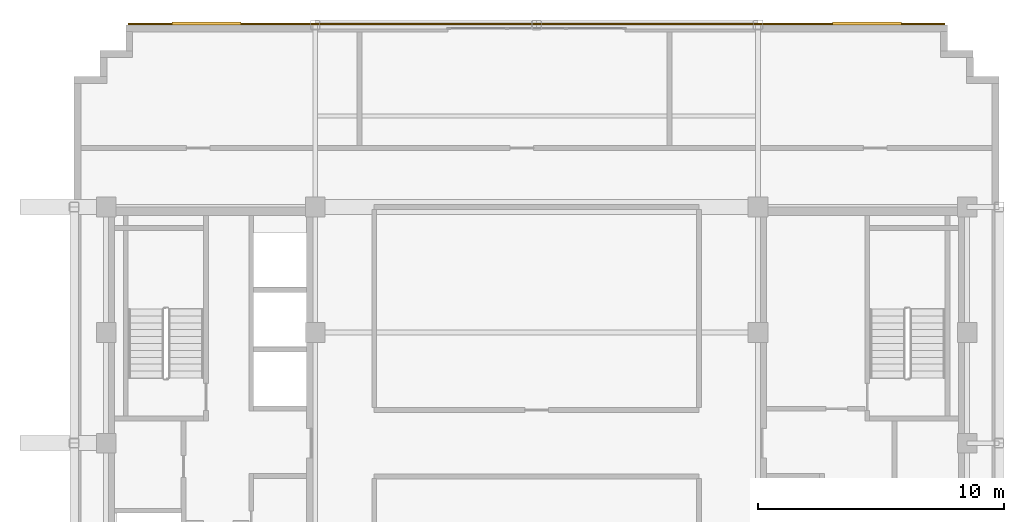
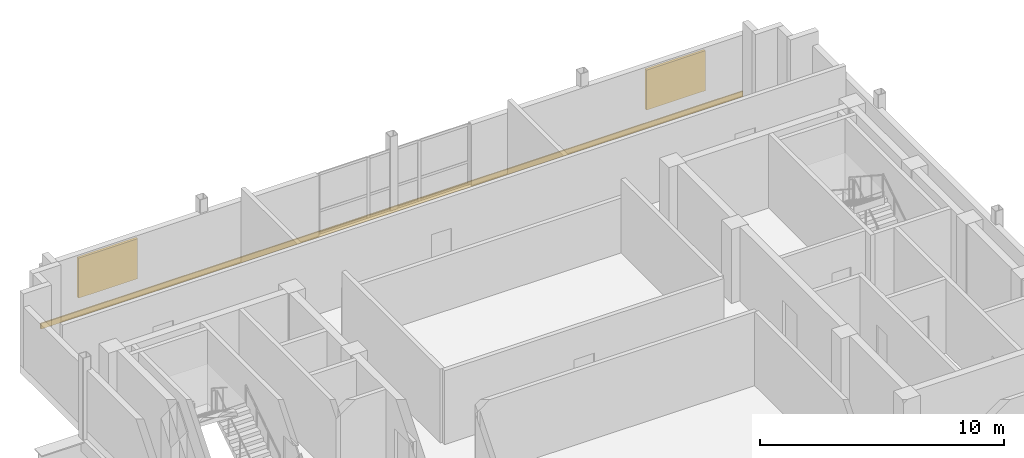
# One storey, part 9 of 9: 2 shading devices, 1 covering.
"""IFC4 building model written with IfcOpenShell, lengths in metres."""

from ifc_helpers import new_model, si_unit, direction, frame, origin, origin_2d, place, context, subcontext, project, spatial, rectangle, extrude, source, transform, mapped, material, layer, layer_set, type_object, type_shapes, element, save


model = new_model("IFC4")

# Units and contexts
model_context = context("Model", 3, precision=1e-05, world=origin(), true_north=direction((0.0, 1.0)))
body_context = subcontext(model_context, "Body", "Model", "MODEL_VIEW")
ifc_project = project(units=[si_unit("LENGTHUNIT", "METRE"), si_unit("AREAUNIT", "SQUARE_METRE"), si_unit("VOLUMEUNIT", "CUBIC_METRE"), si_unit("PLANEANGLEUNIT", "RADIAN"), si_unit("MASSUNIT", "GRAM", prefix="KILO")], contexts=[model_context])

# Site, building, storey
site_placement = place(None, origin())
site = spatial("IfcSite", under=ifc_project, at=site_placement, CompositionType="ELEMENT")
building_placement = place(site_placement, origin())
building = spatial("IfcBuilding", under=site, at=building_placement, Name="Nuvemarco Arch Tower", CompositionType="ELEMENT")
storey_placement = place(building_placement, frame((0.0, 0.0, 287.14990234375)))
storey = spatial("IfcBuildingStorey", under=building, at=storey_placement, Name="L76", CompositionType="ELEMENT", Elevation=287.14990234375)

# Shading devices
ifc_material_1 = material(Name="Anodised aluminium 6063-T6", Category="aluminium")
shading_device_type = type_object("IfcShadingDeviceType", Name="SHD-LOUVRE-PLANT", PredefinedType="JALOUSIE", material=ifc_material_1)
shared_shape_1 = source(origin(), body_context, "Body", "SweptSolid", [
    extrude(rectangle(XDim=2.800048828125, YDim=0.1201171875, at=origin_2d()), origin(), (0.0, 0.0, 1.0), 2.0),
])
type_shapes(shading_device_type, [shared_shape_1])
for number, where, z_axis, x_axis, name in (
    (1, (-13.425048828125, 17.054931640625, 0.650146484375), (0.0, 0.0, 1.0), (1.0, 0.0, 0.0), "L76 acoustic plant louvre panel 1"),
    (2, (13.425048828125, 17.054931640625, 0.650146484375), (0.0, 0.0, 1.0), (1.0, 0.0, 0.0), "L76 acoustic plant louvre panel 2"),
):
    element("IfcShadingDevice", number, at=place(storey_placement, frame(where, z_axis=z_axis, x_axis=x_axis)), inside=storey, type_object=shading_device_type, Name=name, PredefinedType="JALOUSIE", context=body_context, shape_type="MappedRepresentation", body=[
        mapped(shared_shape_1, transform((0.0, 0.0, 0.0), scale=1.0)),
    ])

# Covering
ifc_material_2 = material(Name="Precast concrete C45/55", Category="concrete")
ifc_layer = layer(ifc_material_2, 0.06005859375, Name="COV-SPANDREL-CLAD")
ifc_layer_set = layer_set([ifc_layer], Name="Precast concrete C45/55")
covering_type = type_object("IfcCoveringType", Name="COV-SPANDREL-CLAD", PredefinedType="CLADDING", material=ifc_layer_set)
shared_shape_2 = source(origin(), body_context, "Body", "SweptSolid", [
    extrude(rectangle(XDim=33.199951171875, YDim=0.06005859375, at=origin_2d()), origin(), (0.0, 0.0, 1.0), 0.280029296875),
])
type_shapes(covering_type, [shared_shape_2])
covering_placement = place(storey_placement, frame((0.0, 17.029052734375, -0.27978515625), z_axis=(0.0, 0.0, 1.0), x_axis=(1.0, 0.0, 0.0)))
element("IfcCovering", 3, at=covering_placement, inside=storey, type_object=covering_type, Name="L76 precast spandrel edge cladding north", PredefinedType="CLADDING", context=body_context, shape_type="MappedRepresentation", body=[
    mapped(shared_shape_2, transform((0.0, 0.0, 0.0), scale=1.0)),
])

save(model, "model.ifc")
